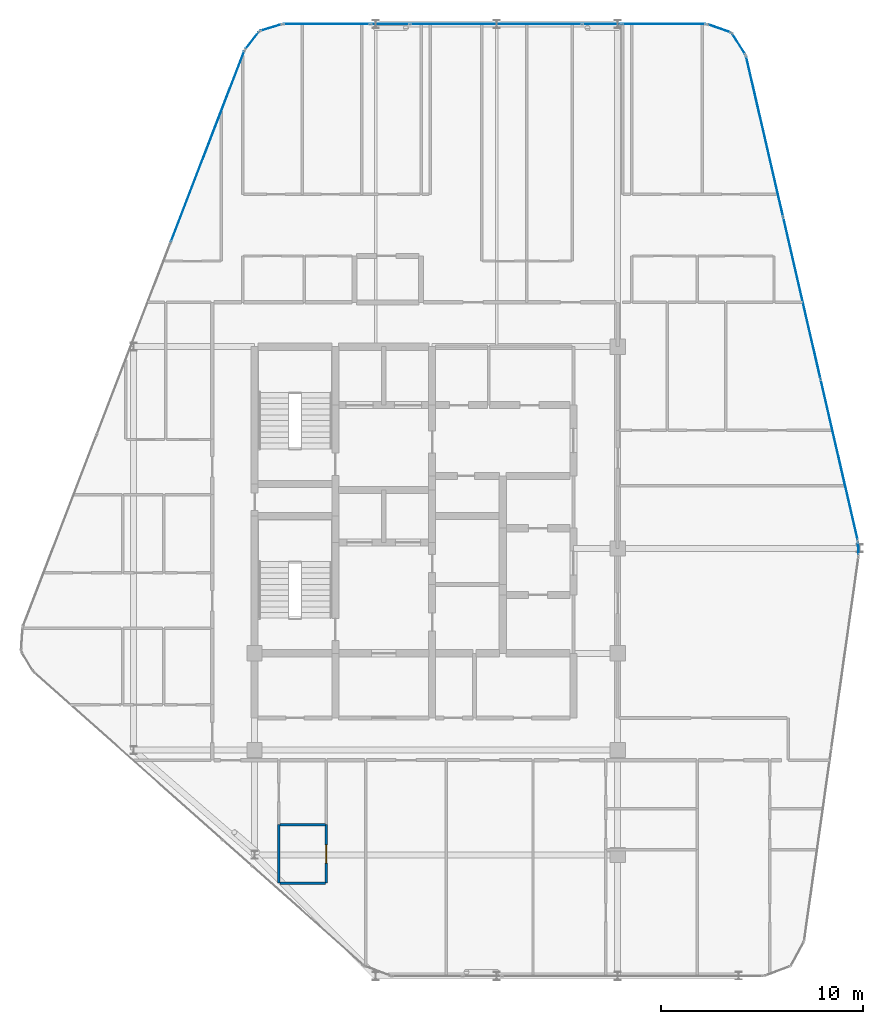
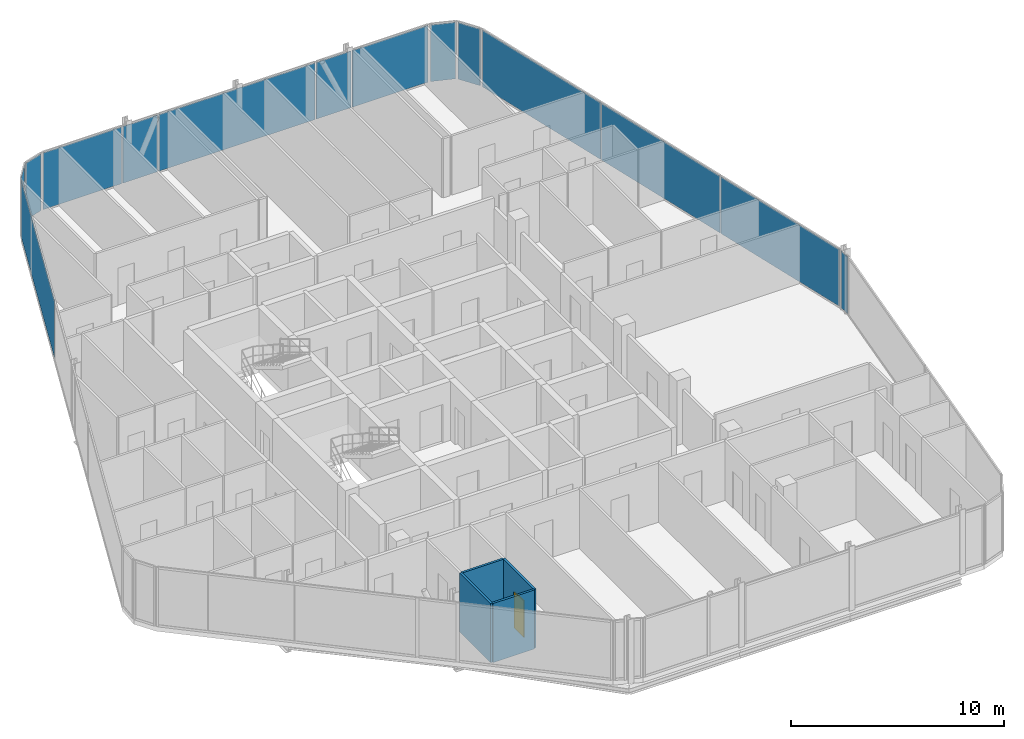
# One storey, part 21 of 27: 14 plates, 4 walls, 1 door, 1 opening, 12 elements without a shape of their own.
"""IFC4 building model written with IfcOpenShell, lengths in metres."""

from ifc_helpers import new_model, si_unit, direction, frame, frame_2d, origin, origin_2d, place, context, subcontext, project, spatial, rectangle, extrude, material, layer, layer_set, type_object, element, fill, aggregate, save


model = new_model("IFC4")

# Units and contexts
model_context = context("Model", 3, precision=1e-05, world=origin(), true_north=direction((0.0, 1.0)))
body_context = subcontext(model_context, "Body", "Model", "MODEL_VIEW")
ifc_project = project(units=[si_unit("LENGTHUNIT", "METRE"), si_unit("AREAUNIT", "SQUARE_METRE"), si_unit("VOLUMEUNIT", "CUBIC_METRE"), si_unit("PLANEANGLEUNIT", "RADIAN"), si_unit("MASSUNIT", "GRAM", prefix="KILO")], contexts=[model_context])

# Site, building, storey
site_placement = place(None, origin())
site = spatial("IfcSite", under=ifc_project, at=site_placement, CompositionType="ELEMENT")
building_placement = place(site_placement, origin())
building = spatial("IfcBuilding", under=site, at=building_placement, Name="Keshet Zoharim Tower", CompositionType="ELEMENT")
storey_placement = place(building_placement, frame((0.0, 0.0, 269.5)))
storey = spatial("IfcBuildingStorey", under=building, at=storey_placement, Name="L67", CompositionType="ELEMENT", Elevation=269.5)

# Curtain wall, plate
ifc_material_1 = material(Name="Aluminium 6063-T6", Category="aluminium")
ifc_layer_1 = layer(ifc_material_1, 0.260009765625)
ifc_layer_set_1 = layer_set([ifc_layer_1], Name="Aluminium 6063-T6")
curtain_wall_type = type_object("IfcCurtainWallType", Name="CW-SYS-06", PredefinedType="NOTDEFINED", material=ifc_layer_set_1)
curtain_wall_1_placement = place(storey_placement, origin())
curtain_wall_1 = element("IfcCurtainWall", 1, at=curtain_wall_1_placement, inside=storey, type_object=curtain_wall_type, Name="L67 Unitised Curtain Wall 03", PredefinedType="NOTDEFINED")
ifc_material_2 = material(Name="Insulated Low-E Clear Glass", Category="glass")
ifc_layer_2 = layer(ifc_material_2, 0.028076171875)
ifc_layer_set_2 = layer_set([ifc_layer_2], Name="Insulated Low-E Clear Glass")
plate_type_1 = type_object("IfcPlateType", Name="CWP-03", PredefinedType="CURTAIN_PANEL", material=ifc_layer_set_2)
plate_1_placement = place(storey_placement, frame((12.665771484375, 47.830810546875, 0.070068359375), z_axis=(0.0, 0.0, 1.0), x_axis=(0.358990003907, 0.933341404361, 0.0)))
plate_1 = element("IfcPlate", 2, at=plate_1_placement, type_object=plate_type_1, Name="CW-06 panel 3.1", PredefinedType="CURTAIN_PANEL", context=body_context, shape_type="SweptSolid", body=[
    extrude(rectangle(XDim=10.1181640625, YDim=0.028076171875, at=origin_2d()), origin(), (0.0, 0.0, 1.0), 3.25),
])
aggregate(curtain_wall_1, [plate_1])

curtain_wall_2_placement = place(storey_placement, origin())
curtain_wall_2 = element("IfcCurtainWall", 3, at=curtain_wall_2_placement, inside=storey, type_object=curtain_wall_type, Name="L67 Unitised Curtain Wall 04", PredefinedType="NOTDEFINED")
plate_2_placement = place(storey_placement, frame((14.8740234375, 53.08349609375, 0.070068359375), z_axis=(0.0, 0.0, 1.0), x_axis=(0.619124525989, 0.785292825205, 0.0)))
plate_2 = element("IfcPlate", 4, at=plate_2_placement, type_object=plate_type_1, Name="CW-06 panel 1.1", PredefinedType="CURTAIN_PANEL", context=body_context, shape_type="SweptSolid", body=[
    extrude(rectangle(XDim=1.045654296875, YDim=0.028076171875, at=origin_2d()), origin(), (0.0, 0.0, 1.0), 3.25),
])
aggregate(curtain_wall_2, [plate_2])

curtain_wall_3_placement = place(storey_placement, origin())
curtain_wall_3 = element("IfcCurtainWall", 5, at=curtain_wall_3_placement, inside=storey, type_object=curtain_wall_type, Name="L67 Unitised Curtain Wall 05", PredefinedType="NOTDEFINED")
plate_3_placement = place(storey_placement, frame((15.8076171875, 53.724609375, 0.070068359375), z_axis=(0.0, 0.0, 1.0), x_axis=(0.955212151288, 0.295921857984, 0.0)))
plate_3 = element("IfcPlate", 6, at=plate_3_placement, type_object=plate_type_1, Name="CW-06 panel 1.1", PredefinedType="CURTAIN_PANEL", context=body_context, shape_type="SweptSolid", body=[
    extrude(rectangle(XDim=1.046142578125, YDim=0.028076171875, at=origin_2d()), origin(), (0.0, 0.0, 1.0), 3.25),
])
aggregate(curtain_wall_3, [plate_3])

curtain_wall_4_placement = place(storey_placement, origin())
curtain_wall_4 = element("IfcCurtainWall", 7, at=curtain_wall_4_placement, inside=storey, type_object=curtain_wall_type, Name="L67 Unitised Curtain Wall 06", PredefinedType="NOTDEFINED")
plate_4_placement = place(storey_placement, frame((18.57470703125, 53.89990234375, 0.070068359375), z_axis=(0.0, 0.0, 1.0), x_axis=(1.0, 0.0, 0.0)))
plate_4 = element("IfcPlate", 8, at=plate_4_placement, type_object=plate_type_1, Name="CW-06 panel 1.1", PredefinedType="CURTAIN_PANEL", context=body_context, shape_type="SweptSolid", body=[
    extrude(rectangle(XDim=4.26123046875, YDim=0.028076171875, at=origin_2d()), origin(), (0.0, 0.0, 1.0), 3.25),
])
aggregate(curtain_wall_4, [plate_4])

curtain_wall_5_placement = place(storey_placement, origin())
curtain_wall_5 = element("IfcCurtainWall", 9, at=curtain_wall_5_placement, inside=storey, type_object=curtain_wall_type, Name="L67 Unitised Curtain Wall 06 Part 3", PredefinedType="NOTDEFINED")
plate_5_placement = place(storey_placement, frame((26.965087890625, 53.89990234375, 0.070068359375), z_axis=(0.0, 0.0, 1.0), x_axis=(1.0, 0.0, 0.0)))
plate_5 = element("IfcPlate", 10, at=plate_5_placement, type_object=plate_type_1, Name="CW-06 panel 1.1", PredefinedType="CURTAIN_PANEL", context=body_context, shape_type="SweptSolid", body=[
    extrude(rectangle(XDim=8.48046875, YDim=0.028076171875, at=origin_2d()), origin(), (0.0, 0.0, 1.0), 3.25),
])
aggregate(curtain_wall_5, [plate_5])

curtain_wall_6_placement = place(storey_placement, origin())
curtain_wall_6 = element("IfcCurtainWall", 11, at=curtain_wall_6_placement, inside=storey, type_object=curtain_wall_type, Name="L67 Unitised Curtain Wall 06 Part 5", PredefinedType="NOTDEFINED")
plate_6_placement = place(storey_placement, frame((35.281982421875, 53.89990234375, 0.070068359375), z_axis=(0.0, 0.0, 1.0), x_axis=(1.0, 0.0, 0.0)))
plate_6 = element("IfcPlate", 12, at=plate_6_placement, type_object=plate_type_1, Name="CW-06 panel 1.1", PredefinedType="CURTAIN_PANEL", context=body_context, shape_type="SweptSolid", body=[
    extrude(rectangle(XDim=4.1142578125, YDim=0.028076171875, at=origin_2d()), origin(), (0.0, 0.0, 1.0), 3.25),
])
aggregate(curtain_wall_6, [plate_6])

curtain_wall_7_placement = place(storey_placement, origin())
curtain_wall_7 = element("IfcCurtainWall", 13, at=curtain_wall_7_placement, inside=storey, type_object=curtain_wall_type, Name="L67 Unitised Curtain Wall 07", PredefinedType="NOTDEFINED")
plate_7_placement = place(storey_placement, frame((38.031494140625, 53.6826171875, 0.070068359375), z_axis=(0.0, 0.0, 1.0), x_axis=(0.944035542119, -0.329843743636, 0.0)))
plate_7 = element("IfcPlate", 14, at=plate_7_placement, type_object=plate_type_1, Name="CW-06 panel 1.1", PredefinedType="CURTAIN_PANEL", context=body_context, shape_type="SweptSolid", body=[
    extrude(rectangle(XDim=1.1787109375, YDim=0.028076171875, at=origin_2d()), origin(), (0.0, 0.0, 1.0), 3.25),
])
aggregate(curtain_wall_7, [plate_7])

curtain_wall_8_placement = place(storey_placement, origin())
curtain_wall_8 = element("IfcCurtainWall", 15, at=curtain_wall_8_placement, inside=storey, type_object=curtain_wall_type, Name="L67 Unitised Curtain Wall 08", PredefinedType="NOTDEFINED")
plate_8_placement = place(storey_placement, frame((39.006103515625, 52.907470703125, 0.070068359375), z_axis=(0.0, 0.0, 1.0), x_axis=(0.533878858502, -0.845560976183, 0.0)))
plate_8 = element("IfcPlate", 16, at=plate_8_placement, type_object=plate_type_1, Name="CW-06 panel 1.1", PredefinedType="CURTAIN_PANEL", context=body_context, shape_type="SweptSolid", body=[
    extrude(rectangle(XDim=1.1787109375, YDim=0.028076171875, at=origin_2d()), origin(), (0.0, 0.0, 1.0), 3.25),
])
aggregate(curtain_wall_8, [plate_8])

# Curtain wall, plates
curtain_wall_9_placement = place(storey_placement, origin())
curtain_wall_9 = element("IfcCurtainWall", 17, at=curtain_wall_9_placement, inside=storey, type_object=curtain_wall_type, Name="L67 Unitised Curtain Wall 09", PredefinedType="NOTDEFINED")
plate_9_placement = place(storey_placement, frame((40.288330078125, 48.318359375, 0.070068359375), z_axis=(0.0, 0.0, 1.0), x_axis=(0.224829963294, -0.974398012932, 0.0)))
plate_9 = element("IfcPlate", 18, at=plate_9_placement, type_object=plate_type_1, Name="CW-06 panel 1.1", PredefinedType="CURTAIN_PANEL", context=body_context, shape_type="SweptSolid", body=[
    extrude(rectangle(XDim=8.13525390625, YDim=0.028076171875, at=origin_2d()), origin(), (0.0, 0.0, 1.0), 3.25),
])
plate_10_placement = place(storey_placement, frame((42.136962890625, 40.305908203125, 0.070068359375), z_axis=(0.0, 0.0, 1.0), x_axis=(0.224829963294, -0.974398012932, 0.0)))
plate_10 = element("IfcPlate", 19, at=plate_10_placement, type_object=plate_type_1, Name="CW-06 panel 2.1", PredefinedType="CURTAIN_PANEL", context=body_context, shape_type="SweptSolid", body=[
    extrude(rectangle(XDim=8.17041015625, YDim=0.028076171875, at=origin_2d()), origin(), (0.0, 0.0, 1.0), 3.25),
])
plate_11_placement = place(storey_placement, frame((43.98583984375, 32.293701171875, 0.070068359375), z_axis=(0.0, 0.0, 1.0), x_axis=(0.224829963294, -0.974398012932, 0.0)))
plate_11 = element("IfcPlate", 20, at=plate_11_placement, type_object=plate_type_1, Name="CW-06 panel 3.1", PredefinedType="CURTAIN_PANEL", context=body_context, shape_type="SweptSolid", body=[
    extrude(rectangle(XDim=8.13525390625, YDim=0.028076171875, at=origin_2d()), origin(), (0.0, 0.0, 1.0), 3.25),
])
aggregate(curtain_wall_9, [plate_9, plate_10, plate_11])

# Curtain wall, plate
curtain_wall_10_placement = place(storey_placement, origin())
curtain_wall_10 = element("IfcCurtainWall", 21, at=curtain_wall_10_placement, inside=storey, type_object=curtain_wall_type, Name="L67 Unitised Curtain Wall 10", PredefinedType="NOTDEFINED")
plate_12_placement = place(storey_placement, frame((44.931884765625, 27.89697265625, 0.070068359375), z_axis=(0.0, 0.0, 1.0), x_axis=(0.043793560626, -0.999040601801, 0.0)))
plate_12 = element("IfcPlate", 22, at=plate_12_placement, type_object=plate_type_1, Name="CW-06 panel 1.1", PredefinedType="CURTAIN_PANEL", context=body_context, shape_type="SweptSolid", body=[
    extrude(rectangle(XDim=0.5908203125, YDim=0.028076171875, at=origin_2d()), origin(), (0.0, 0.0, 1.0), 3.25),
])
aggregate(curtain_wall_10, [plate_12])

curtain_wall_11_placement = place(storey_placement, origin())
curtain_wall_11 = element("IfcCurtainWall", 23, at=curtain_wall_11_placement, inside=storey, type_object=curtain_wall_type, Name="L67 Unitised Curtain Wall 06 Part 2", PredefinedType="NOTDEFINED")
ifc_material_3 = material(Name="Insulated Aluminium Spandrel Panel", Category="aluminium")
ifc_layer_3 = layer(ifc_material_3, 0.028076171875)
ifc_layer_set_3 = layer_set([ifc_layer_3], Name="Insulated Aluminium Spandrel Panel")
plate_type_2 = type_object("IfcPlateType", Name="CWP-06", PredefinedType="CURTAIN_PANEL", material=ifc_layer_set_3)
plate_13_placement = place(storey_placement, frame((21.715087890625, 53.89990234375, 0.070068359375), z_axis=(0.0, 0.0, 1.0), x_axis=(1.0, 0.0, 0.0)))
plate_13 = element("IfcPlate", 24, at=plate_13_placement, type_object=plate_type_2, Name="CW-06 spandrel panel 1.1", PredefinedType="CURTAIN_PANEL", context=body_context, shape_type="SweptSolid", body=[
    extrude(rectangle(XDim=1.879638671875, YDim=0.028076171875, at=origin_2d()), origin(), (0.0, 0.0, 1.0), 3.25),
])
aggregate(curtain_wall_11, [plate_13])

curtain_wall_12_placement = place(storey_placement, origin())
curtain_wall_12 = element("IfcCurtainWall", 25, at=curtain_wall_12_placement, inside=storey, type_object=curtain_wall_type, Name="L67 Unitised Curtain Wall 06 Part 4", PredefinedType="NOTDEFINED")
plate_14_placement = place(storey_placement, frame((32.215087890625, 53.89990234375, 0.070068359375), z_axis=(0.0, 0.0, 1.0), x_axis=(1.0, 0.0, 0.0)))
plate_14 = element("IfcPlate", 26, at=plate_14_placement, type_object=plate_type_2, Name="CW-06 spandrel panel 1.1", PredefinedType="CURTAIN_PANEL", context=body_context, shape_type="SweptSolid", body=[
    extrude(rectangle(XDim=1.879638671875, YDim=0.028076171875, at=origin_2d()), origin(), (0.0, 0.0, 1.0), 3.25),
])
aggregate(curtain_wall_12, [plate_14])

# Wall
ifc_material_4 = material(Name="Gypsum Plasterboard", Category="gypsum")
ifc_layer_4 = layer(ifc_material_4, 0.1201171875)
ifc_layer_set_4 = layer_set([ifc_layer_4], Name="Gypsum Plasterboard")
wall_type = type_object("IfcWallType", Name="WL-WET-120", PredefinedType="PARTITIONING", material=ifc_layer_set_4)
wall_1_placement = place(storey_placement, frame((16.199951171875, 11.300048828125, 0.0), z_axis=(0.0, 0.0, 1.0), x_axis=(0.0, 1.0, 0.0)))
element("IfcWall", 27, at=wall_1_placement, inside=storey, type_object=wall_type, Name="L67 Interior Wall 020", PredefinedType="PARTITIONING", context=body_context, shape_type="SweptSolid", body=[
    extrude(rectangle(XDim=2.89990234375, YDim=0.1201171875, at=frame_2d((1.449951171875, 0.0))), origin(), (0.0, 0.0, 1.0), 3.389892578125),
])

# Wall, opening, door
wall_2_placement = place(storey_placement, frame((18.550048828125, 11.300048828125, 0.0), z_axis=(0.0, 0.0, 1.0), x_axis=(0.0, 1.0, 0.0)))
wall_2 = element("IfcWall", 28, at=wall_2_placement, inside=storey, type_object=wall_type, Name="L67 Interior Wall 024", PredefinedType="PARTITIONING", context=body_context, shape_type="SweptSolid", body=[
    extrude(rectangle(XDim=2.89990234375, YDim=0.1201171875, at=frame_2d((1.449951171875, 0.0))), origin(), (0.0, 0.0, 1.0), 3.389892578125),
])
opening_placement = place(wall_2_placement, frame((1.0, 0.0, 0.0)))
opening = element("IfcOpeningElement", 29, at=opening_placement, cuts=wall_2, Name="Opening D-WT90", PredefinedType="OPENING", context=body_context, shape_type="SweptSolid", body=[
    extrude(rectangle(XDim=0.89990234375, YDim=2.10009765625, at=frame_2d((0.449951171875, 1.050048828125))), frame((0.0, 0.070068359375, 0.0), z_axis=(0.0, -1.0, 0.0), x_axis=(1.0, 0.0, 0.0)), (0.0, 0.0, 1.0), 0.14013671875),
])
ifc_material_5 = material(Name="Hardwood Timber", Category="wood")
door_type = type_object("IfcDoorType", Name="DR-WET-090", OperationType="NOTDEFINED", PredefinedType="DOOR", material=ifc_material_5)
door_placement = place(opening_placement, origin())
door = element("IfcDoor", 30, at=door_placement, inside=storey, type_object=door_type, Name="Apartment 6701 Bathroom Door", OperationType="SINGLE_SWING_RIGHT", OverallHeight=2.10009765625, OverallWidth=0.89990234375, PredefinedType="DOOR", context=body_context, shape_type="SweptSolid", body=[
    extrude(rectangle(XDim=0.89990234375, YDim=2.10009765625, at=frame_2d((0.449951171875, 1.050048828125))), frame((0.0, 0.02490234375, 0.0), z_axis=(0.0, -1.0, 0.0), x_axis=(1.0, 0.0, 0.0)), (0.0, 0.0, 1.0), 0.050048828125),
])
fill(opening, door)

# Walls
for number, where, z_axis, x_axis, name in (
    (31, (16.2451171875, 11.300048828125, 0.0), (0.0, 0.0, 1.0), (1.0, 0.0, 0.0), "L67 Interior Wall 084"),
    (32, (16.2451171875, 14.199951171875, 0.0), (0.0, 0.0, 1.0), (1.0, 0.0, 0.0), "L67 Interior Wall 087"),
):
    element("IfcWall", number, at=place(storey_placement, frame(where, z_axis=z_axis, x_axis=x_axis)), inside=storey, type_object=wall_type, Name=name, PredefinedType="PARTITIONING", context=body_context, shape_type="SweptSolid", body=[
        extrude(rectangle(XDim=2.259765625, YDim=0.1201171875, at=frame_2d((1.1298828125, 0.0))), origin(), (0.0, 0.0, 1.0), 3.389892578125),
    ])

save(model, "model.ifc")
